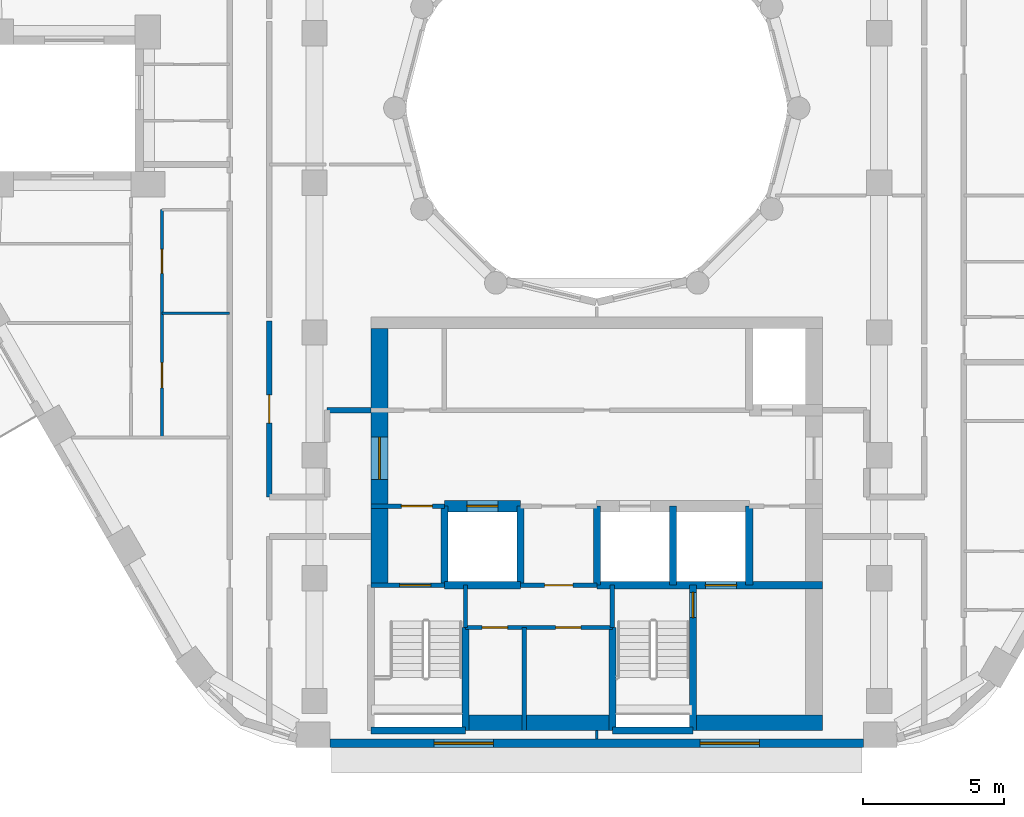
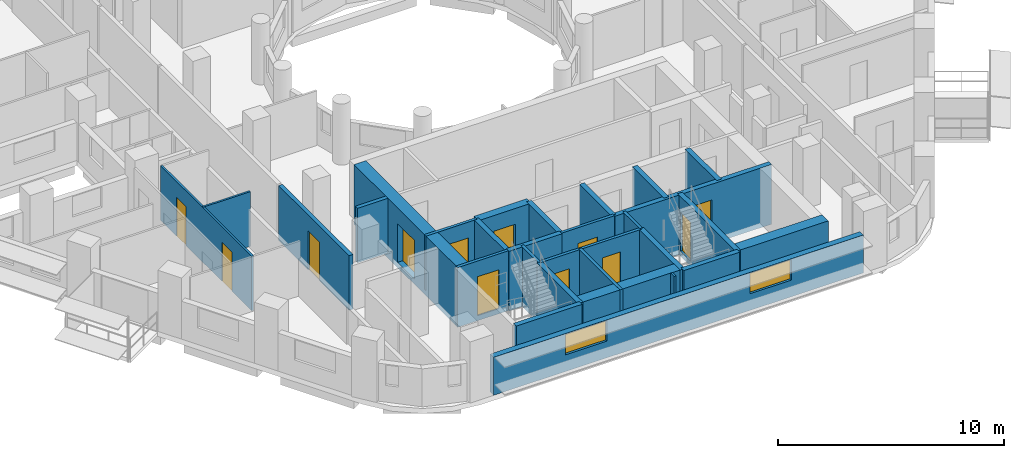
# One storey, part 3 of 15: 29 walls, 12 doors, 2 windows, 14 openings.
"""IFC4 building model written with IfcOpenShell, lengths in metres."""

from ifc_helpers import new_model, si_unit, direction, frame, frame_2d, origin, place, context, subcontext, project, spatial, rectangle, extrude, material, layer, layer_set, type_object, element, fill, save


model = new_model("IFC4")

# Units and contexts
model_context = context("Model", 3, precision=1e-05, world=origin(), true_north=direction((0.0, 1.0)))
body_context = subcontext(model_context, "Body", "Model", "MODEL_VIEW")
ifc_project = project(units=[si_unit("LENGTHUNIT", "METRE"), si_unit("AREAUNIT", "SQUARE_METRE"), si_unit("VOLUMEUNIT", "CUBIC_METRE"), si_unit("PLANEANGLEUNIT", "RADIAN"), si_unit("MASSUNIT", "GRAM", prefix="KILO")], contexts=[model_context])

# Site, building, storey
site_placement = place(None, origin())
site = spatial("IfcSite", under=ifc_project, at=site_placement, CompositionType="ELEMENT")
building_placement = place(site_placement, origin())
building = spatial("IfcBuilding", under=site, at=building_placement, Name="Nakaniwa Court", CompositionType="ELEMENT")
storey_placement = place(building_placement, frame((0.0, 0.0, 216.300048828125)))
storey = spatial("IfcBuildingStorey", under=building, at=storey_placement, Name="L57", CompositionType="ELEMENT", Elevation=216.300048828125)

# Wall
ifc_material_1 = material(Name="Acoustic double stud partition")
ifc_layer_1 = layer(ifc_material_1, 0.199951171875)
ifc_layer_set_1 = layer_set([ifc_layer_1], Name="Acoustic double stud partition")
wall_type_1 = type_object("IfcWallType", Name="Acoustic double stud partition 200", PredefinedType="PARTITIONING", material=ifc_layer_set_1)
wall_1_placement = place(storey_placement, frame((70.449951171875, 69.300048828125, 0.0), z_axis=(0.0, 0.0, 1.0), x_axis=(1.0, 0.0, 0.0)))
element("IfcWall", 1, at=wall_1_placement, inside=storey, type_object=wall_type_1, Name="Partition PW-076", PredefinedType="PARTITIONING", context=body_context, shape_type="SweptSolid", body=[
    extrude(rectangle(XDim=1.550048828125, YDim=0.199951171875, at=frame_2d((0.77490234375, 0.0))), origin(), (0.0, 0.0, 1.0), 2.949951171875),
])

# Wall, opening, door
wall_2_placement = place(storey_placement, frame((68.39990234375, 72.462890625, 0.0), z_axis=(0.0, 0.0, 1.0), x_axis=(0.0, -1.0, 0.0)))
wall_2 = element("IfcWall", 2, at=wall_2_placement, inside=storey, type_object=wall_type_1, Name="Partition PW-093", PredefinedType="PARTITIONING", context=body_context, shape_type="SweptSolid", body=[
    extrude(rectangle(XDim=6.23779296875, YDim=0.199951171875, at=frame_2d((3.118896484375, 0.0))), origin(), (0.0, 0.0, 1.0), 2.949951171875),
])
opening_1_placement = place(wall_2_placement, frame((2.6201171875, 0.0, 0.0)))
opening_1 = element("IfcOpeningElement", 3, at=opening_1_placement, cuts=wall_2, Name="Opening D-02-03", PredefinedType="OPENING", context=body_context, shape_type="SweptSolid", body=[
    extrude(rectangle(XDim=1.0, YDim=2.10009765625, at=frame_2d((0.5, 1.050048828125))), frame((0.0, 0.10986328125, 0.0), z_axis=(0.0, -1.0, 0.0), x_axis=(1.0, 0.0, 0.0)), (0.0, 0.0, 1.0), 0.219970703125),
])
ifc_material_2 = material(Name="Solid core timber door set, black veneer", Category="wood")
door_type_1 = type_object("IfcDoorType", Name="Internal door 1000", OperationType="NOTDEFINED", PredefinedType="DOOR", material=ifc_material_2)
door_1_placement = place(opening_1_placement, origin())
door_1 = element("IfcDoor", 4, at=door_1_placement, inside=storey, type_object=door_type_1, Name="Door D-02-03 L57-034", OperationType="SINGLE_SWING_LEFT", OverallHeight=2.10009765625, OverallWidth=1.0, PredefinedType="DOOR", context=body_context, shape_type="SweptSolid", body=[
    extrude(rectangle(XDim=1.0, YDim=2.10009765625, at=frame_2d((0.5, 1.050048828125))), frame((0.0, 0.02490234375, 0.0), z_axis=(0.0, -1.0, 0.0), x_axis=(1.0, 0.0, 0.0)), (0.0, 0.0, 1.0), 0.050048828125),
])
fill(opening_1, door_1)

# Wall, openings, windows
ifc_material_3 = material(Name="Charcoal ceramic cladding")
ifc_layer_2 = layer(ifc_material_3, 0.02, Name="Ceramic cladding")
ifc_material_4 = material(Name="Ventilated air cavity")
ifc_layer_3 = layer(ifc_material_4, 0.04, ventilated=True, Name="Ventilated cavity")
ifc_material_5 = material(Name="Mineral wool insulation")
ifc_layer_4 = layer(ifc_material_5, 0.1, Name="Insulation")
ifc_material_6 = material(Name="Cement bonded sheathing board")
ifc_layer_5 = layer(ifc_material_6, 0.012, Name="Sheathing")
ifc_material_7 = material(Name="Cold-formed galvanised stud frame with mineral wool infill")
ifc_layer_6 = layer(ifc_material_7, 0.1, Name="Stud frame")
ifc_material_8 = material(Name="Fire-rated gypsum plasterboard lining")
ifc_layer_7 = layer(ifc_material_8, 0.028, Name="Lining")
ifc_layer_set_2 = layer_set([ifc_layer_2, ifc_layer_3, ifc_layer_4, ifc_layer_5, ifc_layer_6, ifc_layer_7], Name="Charcoal ceramic faced external wall system")
wall_type_2 = type_object("IfcWallType", Name="Black ceramic faced external wall 300", PredefinedType="SOLIDWALL", material=ifc_layer_set_2)
wall_3_placement = place(storey_placement, frame((70.55078125, 57.5, 0.0), z_axis=(0.0, 0.0, 1.0), x_axis=(1.0, 0.0, 0.0)))
wall_3 = element("IfcWall", 5, at=wall_3_placement, inside=storey, type_object=wall_type_2, Name="L57 external wall 26", PredefinedType="SOLIDWALL", context=body_context, shape_type="SweptSolid", body=[
    extrude(rectangle(XDim=18.892822265625, YDim=0.300048828125, at=frame_2d((9.4462890625, 0.0))), origin(), (0.0, 0.0, 1.0), 2.050048828125),
])
opening_2_placement = place(wall_3_placement, frame((3.6865234375, 0.0, 0.89990234375)))
opening_2 = element("IfcOpeningElement", 6, at=opening_2_placement, cuts=wall_3, Name="Opening W7.29", PredefinedType="OPENING", context=body_context, shape_type="SweptSolid", body=[
    extrude(rectangle(XDim=2.10009765625, YDim=1.10009765625, at=frame_2d((1.050048828125, 0.550048828125))), frame((0.0, 0.159912109375, 0.0), z_axis=(0.0, -1.0, 0.0), x_axis=(1.0, 0.0, 0.0)), (0.0, 0.0, 1.0), 0.320068359375),
])
opening_3_placement = place(wall_3_placement, frame((13.10888671875, 0.0, 0.89990234375)))
opening_3 = element("IfcOpeningElement", 7, at=opening_3_placement, cuts=wall_3, Name="Opening W7.30", PredefinedType="OPENING", context=body_context, shape_type="SweptSolid", body=[
    extrude(rectangle(XDim=2.10009765625, YDim=1.10009765625, at=frame_2d((1.050048828125, 0.550048828125))), frame((0.0, 0.159912109375, 0.0), z_axis=(0.0, -1.0, 0.0), x_axis=(1.0, 0.0, 0.0)), (0.0, 0.0, 1.0), 0.320068359375),
])
ifc_material_9 = material(Name="Black anodised aluminium frame with dark low-E laminated double glazing", Category="aluminium")
window_type = type_object("IfcWindowType", Name="Dark glass window 2100x1100 sill 900", PartitioningType="SINGLE_PANEL", PredefinedType="WINDOW", material=ifc_material_9)
window_1_placement = place(opening_2_placement, origin())
window_1 = element("IfcWindow", 8, at=window_1_placement, inside=storey, type_object=window_type, Name="L57 habitable room window 26-0", OverallHeight=1.10009765625, OverallWidth=2.10009765625, PartitioningType="SINGLE_PANEL", PredefinedType="WINDOW", context=body_context, shape_type="SweptSolid", body=[
    extrude(rectangle(XDim=2.10009765625, YDim=1.10009765625, at=frame_2d((1.050048828125, 0.550048828125))), frame((0.0, 0.030029296875, 0.0), z_axis=(0.0, -1.0, 0.0), x_axis=(1.0, 0.0, 0.0)), (0.0, 0.0, 1.0), 0.06005859375),
])
fill(opening_2, window_1)
window_2_placement = place(opening_3_placement, origin())
window_2 = element("IfcWindow", 9, at=window_2_placement, inside=storey, type_object=window_type, Name="L57 habitable room window 26-1", OverallHeight=1.10009765625, OverallWidth=2.10009765625, PartitioningType="SINGLE_PANEL", PredefinedType="WINDOW", context=body_context, shape_type="SweptSolid", body=[
    extrude(rectangle(XDim=2.10009765625, YDim=1.10009765625, at=frame_2d((1.050048828125, 0.550048828125))), frame((0.0, 0.030029296875, 0.0), z_axis=(0.0, -1.0, 0.0), x_axis=(1.0, 0.0, 0.0)), (0.0, 0.0, 1.0), 0.06005859375),
])
fill(opening_3, window_2)

# Wall, opening, door
ifc_material_10 = material(Name="Blockwork partition", Category="masonry")
ifc_layer_8 = layer(ifc_material_10, 0.14990234375)
ifc_layer_set_3 = layer_set([ifc_layer_8], Name="Blockwork partition")
wall_type_3 = type_object("IfcWallType", Name="Blockwork partition 150", PredefinedType="PARTITIONING", material=ifc_layer_set_3)
wall_4_placement = place(storey_placement, frame((74.60302734375, 65.89990234375, 0.0), z_axis=(0.0, 0.0, 1.0), x_axis=(-1.0, 0.0, 0.0)))
wall_4 = element("IfcWall", 10, at=wall_4_placement, inside=storey, type_object=wall_type_3, Name="Partition PW-040", PredefinedType="PARTITIONING", context=body_context, shape_type="SweptSolid", body=[
    extrude(rectangle(XDim=2.60302734375, YDim=0.14990234375, at=frame_2d((1.301513671875, 0.0))), origin(), (0.0, 0.0, 1.0), 2.949951171875),
])
opening_4_placement = place(wall_4_placement, frame((0.427978515625, 0.0, 0.0)))
opening_4 = element("IfcOpeningElement", 11, at=opening_4_placement, cuts=wall_4, Name="Opening D-08-02", PredefinedType="OPENING", context=body_context, shape_type="SweptSolid", body=[
    extrude(rectangle(XDim=1.10009765625, YDim=2.10009765625, at=frame_2d((0.550048828125, 1.050048828125))), frame((0.0, 0.0849609375, 0.0), z_axis=(0.0, -1.0, 0.0), x_axis=(1.0, 0.0, 0.0)), (0.0, 0.0, 1.0), 0.169921875),
])
ifc_material_11 = material(Name="Fire rated steel door set", Category="steel")
door_type_2 = type_object("IfcDoorType", Name="Stair lobby door 1100", OperationType="NOTDEFINED", PredefinedType="DOOR", material=ifc_material_11)
door_2_placement = place(opening_4_placement, origin())
door_2 = element("IfcDoor", 12, at=door_2_placement, inside=storey, type_object=door_type_2, Name="Door D-08-02 L57-013", OperationType="SINGLE_SWING_RIGHT", OverallHeight=2.10009765625, OverallWidth=1.10009765625, PredefinedType="DOOR", context=body_context, shape_type="SweptSolid", body=[
    extrude(rectangle(XDim=1.10009765625, YDim=2.10009765625, at=frame_2d((0.550048828125, 1.050048828125))), frame((0.0, 0.02490234375, 0.0), z_axis=(0.0, -1.0, 0.0), x_axis=(1.0, 0.0, 0.0)), (0.0, 0.0, 1.0), 0.050048828125),
])
fill(opening_4, door_2)

wall_5_placement = place(storey_placement, frame((80.0, 63.10009765625, 0.0), z_axis=(0.0, 0.0, 1.0), x_axis=(-1.0, 0.0, 0.0)))
wall_5 = element("IfcWall", 13, at=wall_5_placement, inside=storey, type_object=wall_type_3, Name="Partition PW-051", PredefinedType="PARTITIONING", context=body_context, shape_type="SweptSolid", body=[
    extrude(rectangle(XDim=2.699951171875, YDim=0.14990234375, at=frame_2d((1.35009765625, 0.0))), origin(), (0.0, 0.0, 1.0), 2.949951171875),
])
opening_5_placement = place(wall_5_placement, frame((0.85009765625, 0.0, 0.0)))
opening_5 = element("IfcOpeningElement", 14, at=opening_5_placement, cuts=wall_5, Name="Opening D-23-02", PredefinedType="OPENING", context=body_context, shape_type="SweptSolid", body=[
    extrude(rectangle(XDim=1.0, YDim=2.10009765625, at=frame_2d((0.5, 1.050048828125))), frame((0.0, 0.0849609375, 0.0), z_axis=(0.0, -1.0, 0.0), x_axis=(1.0, 0.0, 0.0)), (0.0, 0.0, 1.0), 0.169921875),
])
door_type_3 = type_object("IfcDoorType", Name="Service room door 1000", OperationType="NOTDEFINED", PredefinedType="DOOR", material=ifc_material_11)
door_3_placement = place(opening_5_placement, origin())
door_3 = element("IfcDoor", 15, at=door_3_placement, inside=storey, type_object=door_type_3, Name="Door D-23-02 L57-016", OperationType="SINGLE_SWING_LEFT", OverallHeight=2.10009765625, OverallWidth=1.0, PredefinedType="DOOR", context=body_context, shape_type="SweptSolid", body=[
    extrude(rectangle(XDim=1.0, YDim=2.10009765625, at=frame_2d((0.5, 1.050048828125))), frame((0.0, 0.02490234375, 0.0), z_axis=(0.0, -1.0, 0.0), x_axis=(1.0, 0.0, 0.0)), (0.0, 0.0, 1.0), 0.050048828125),
])
fill(opening_5, door_3)

# Wall, openings, doors
wall_6_placement = place(storey_placement, frame((80.550048828125, 61.60009765625, 0.0), z_axis=(0.0, 0.0, 1.0), x_axis=(-1.0, 0.0, 0.0)))
wall_6 = element("IfcWall", 16, at=wall_6_placement, inside=storey, type_object=wall_type_3, Name="Partition PW-063", PredefinedType="PARTITIONING", context=body_context, shape_type="SweptSolid", body=[
    extrude(rectangle(XDim=5.199951171875, YDim=0.14990234375, at=frame_2d((2.60009765625, 0.0))), origin(), (0.0, 0.0, 1.0), 2.949951171875),
])
opening_6_placement = place(wall_6_placement, frame((3.7099609375, 0.0, 0.0)))
opening_6 = element("IfcOpeningElement", 17, at=opening_6_placement, cuts=wall_6, Name="Opening D-05-09", PredefinedType="OPENING", context=body_context, shape_type="SweptSolid", body=[
    extrude(rectangle(XDim=0.89990234375, YDim=2.10009765625, at=frame_2d((0.449951171875, 1.050048828125))), frame((0.0, 0.0849609375, 0.0), z_axis=(0.0, -1.0, 0.0), x_axis=(1.0, 0.0, 0.0)), (0.0, 0.0, 1.0), 0.169921875),
])
opening_7_placement = place(wall_6_placement, frame((1.110107421875, 0.0, 0.0)))
opening_7 = element("IfcOpeningElement", 18, at=opening_7_placement, cuts=wall_6, Name="Opening D-05-10", PredefinedType="OPENING", context=body_context, shape_type="SweptSolid", body=[
    extrude(rectangle(XDim=0.89990234375, YDim=2.10009765625, at=frame_2d((0.449951171875, 1.050048828125))), frame((0.0, 0.0849609375, 0.0), z_axis=(0.0, -1.0, 0.0), x_axis=(1.0, 0.0, 0.0)), (0.0, 0.0, 1.0), 0.169921875),
])
door_type_4 = type_object("IfcDoorType", Name="Service room door 900", OperationType="NOTDEFINED", PredefinedType="DOOR", material=ifc_material_11)
door_4_placement = place(opening_6_placement, origin())
door_4 = element("IfcDoor", 19, at=door_4_placement, inside=storey, type_object=door_type_4, Name="Door D-05-09 L57-017", OperationType="SINGLE_SWING_RIGHT", OverallHeight=2.10009765625, OverallWidth=0.89990234375, PredefinedType="DOOR", context=body_context, shape_type="SweptSolid", body=[
    extrude(rectangle(XDim=0.89990234375, YDim=2.10009765625, at=frame_2d((0.449951171875, 1.050048828125))), frame((0.0, 0.02490234375, 0.0), z_axis=(0.0, -1.0, 0.0), x_axis=(1.0, 0.0, 0.0)), (0.0, 0.0, 1.0), 0.050048828125),
])
fill(opening_6, door_4)
door_5_placement = place(opening_7_placement, origin())
door_5 = element("IfcDoor", 20, at=door_5_placement, inside=storey, type_object=door_type_4, Name="Door D-05-10 L57-018", OperationType="SINGLE_SWING_LEFT", OverallHeight=2.10009765625, OverallWidth=0.89990234375, PredefinedType="DOOR", context=body_context, shape_type="SweptSolid", body=[
    extrude(rectangle(XDim=0.89990234375, YDim=2.10009765625, at=frame_2d((0.449951171875, 1.050048828125))), frame((0.0, 0.02490234375, 0.0), z_axis=(0.0, -1.0, 0.0), x_axis=(1.0, 0.0, 0.0)), (0.0, 0.0, 1.0), 0.050048828125),
])
fill(opening_7, door_5)

# Wall
wall_7_placement = place(storey_placement, frame((77.429931640625, 57.949951171875, 0.0), z_axis=(0.0, 0.0, 1.0), x_axis=(0.0, 1.0, 0.0)))
element("IfcWall", 21, at=wall_7_placement, inside=storey, type_object=wall_type_3, Name="Partition PW-064", PredefinedType="PARTITIONING", context=body_context, shape_type="SweptSolid", body=[
    extrude(rectangle(XDim=3.650146484375, YDim=0.14990234375, at=frame_2d((1.8251953125, 0.0))), origin(), (0.0, 0.0, 1.0), 2.949951171875),
])

# Wall, opening, door
ifc_material_12 = material(Name="Concrete C80/100", Category="concrete")
ifc_layer_9 = layer(ifc_material_12, 0.60009765625)
ifc_layer_set_4 = layer_set([ifc_layer_9], Name="Concrete C80/100")
wall_type_4 = type_object("IfcWallType", Name="Concrete core side wall 600 C80", PredefinedType="SHEAR", material=ifc_layer_set_4)
wall_8_placement = place(storey_placement, frame((72.300048828125, 63.10009765625, -0.275146484375), z_axis=(0.0, 0.0, 1.0), x_axis=(0.0, 1.0, 0.0)))
wall_8 = element("IfcWall", 22, at=wall_8_placement, inside=storey, type_object=wall_type_4, Name="Core wall SW-35", PredefinedType="SHEAR", context=body_context, shape_type="SweptSolid", body=[
    extrude(rectangle(XDim=9.099853515625, YDim=0.60009765625, at=frame_2d((4.5498046875, 0.0))), origin(), (0.0, 0.0, 1.0), 3.22509765625),
])
opening_8_placement = place(wall_8_placement, frame((3.748046875, 0.0, 0.27490234375)))
opening_8 = element("IfcOpeningElement", 23, at=opening_8_placement, cuts=wall_8, Name="Opening D-07-04", PredefinedType="OPENING", context=body_context, shape_type="SweptSolid", body=[
    extrude(rectangle(XDim=1.5, YDim=2.10009765625, at=frame_2d((0.75, 1.050048828125))), frame((0.0, 0.31005859375, 0.0), z_axis=(0.0, -1.0, 0.0), x_axis=(1.0, 0.0, 0.0)), (0.0, 0.0, 1.0), 0.6201171875),
])
ifc_material_13 = material(Name="Glazed fire rated steel double door set", Category="steel")
door_type_5 = type_object("IfcDoorType", Name="Lobby double door 1500", OperationType="NOTDEFINED", PredefinedType="DOOR", material=ifc_material_13)
door_6_placement = place(opening_8_placement, origin())
door_6 = element("IfcDoor", 24, at=door_6_placement, inside=storey, type_object=door_type_5, Name="Door D-07-04 L57-055", OperationType="DOUBLE_DOOR_SINGLE_SWING", OverallHeight=2.10009765625, OverallWidth=1.5, PredefinedType="DOOR", context=body_context, shape_type="SweptSolid", body=[
    extrude(rectangle(XDim=1.5, YDim=2.10009765625, at=frame_2d((0.75, 1.050048828125))), frame((0.0, 0.02490234375, 0.0), z_axis=(0.0, -1.0, 0.0), x_axis=(1.0, 0.0, 0.0)), (0.0, 0.0, 1.0), 0.050048828125),
])
fill(opening_8, door_6)

ifc_layer_10 = layer(ifc_material_12, 0.39990234375)
ifc_layer_set_5 = layer_set([ifc_layer_10], Name="Concrete C80/100")
wall_type_5 = type_object("IfcWallType", Name="Concrete core spine wall 400 C80", PredefinedType="SHEAR", material=ifc_layer_set_5)
wall_9_placement = place(storey_placement, frame((74.596923828125, 65.89990234375, -0.275146484375), z_axis=(0.0, 0.0, 1.0), x_axis=(1.0, 0.0, 0.0)))
wall_9 = element("IfcWall", 25, at=wall_9_placement, inside=storey, type_object=wall_type_5, Name="Core wall SW-43", PredefinedType="SHEAR", context=body_context, shape_type="SweptSolid", body=[
    extrude(rectangle(XDim=2.7060546875, YDim=0.39990234375, at=frame_2d((1.35302734375, 0.0))), origin(), (0.0, 0.0, 1.0), 3.22509765625),
])
opening_9_placement = place(wall_9_placement, frame((0.802978515625, 0.0, 0.27490234375)))
opening_9 = element("IfcOpeningElement", 26, at=opening_9_placement, cuts=wall_9, Name="Opening LD06", PredefinedType="OPENING", context=body_context, shape_type="SweptSolid", body=[
    extrude(rectangle(XDim=1.10009765625, YDim=2.10009765625, at=frame_2d((0.550048828125, 1.050048828125))), frame((0.0, 0.2099609375, 0.0), z_axis=(0.0, -1.0, 0.0), x_axis=(1.0, 0.0, 0.0)), (0.0, 0.0, 1.0), 0.419921875),
])
ifc_material_14 = material(Name="Stainless steel sliding lift landing door", Category="steel")
door_type_6 = type_object("IfcDoorType", Name="Lift landing door 1100", OperationType="NOTDEFINED", PredefinedType="DOOR", material=ifc_material_14)
door_7_placement = place(opening_9_placement, origin())
door_7 = element("IfcDoor", 27, at=door_7_placement, inside=storey, type_object=door_type_6, Name="Lift landing door LD06 L57-006", OperationType="SLIDING_TO_LEFT", OverallHeight=2.10009765625, OverallWidth=1.10009765625, PredefinedType="DOOR", context=body_context, shape_type="SweptSolid", body=[
    extrude(rectangle(XDim=1.10009765625, YDim=2.10009765625, at=frame_2d((0.550048828125, 1.050048828125))), frame((0.0, 0.02490234375, 0.0), z_axis=(0.0, -1.0, 0.0), x_axis=(1.0, 0.0, 0.0)), (0.0, 0.0, 1.0), 0.050048828125),
])
fill(opening_9, door_7)

ifc_layer_11 = layer(ifc_material_12, 0.14990234375)
ifc_layer_set_6 = layer_set([ifc_layer_11], Name="Concrete C80/100")
wall_type_6 = type_object("IfcWallType", Name="Concrete core wall 150 C80", PredefinedType="SHEAR", material=ifc_layer_set_6)
wall_10_placement = place(storey_placement, frame((72.0, 63.10009765625, -0.275146484375), z_axis=(0.0, 0.0, 1.0), x_axis=(1.0, 0.0, 0.0)))
wall_10 = element("IfcWall", 28, at=wall_10_placement, inside=storey, type_object=wall_type_6, Name="Core wall SW-46", PredefinedType="SHEAR", context=body_context, shape_type="SweptSolid", body=[
    extrude(rectangle(XDim=2.60009765625, YDim=0.14990234375, at=frame_2d((1.300048828125, 0.0))), origin(), (0.0, 0.0, 1.0), 3.22509765625),
])
opening_10_placement = place(wall_10_placement, frame((1.02001953125, 0.0, 0.27490234375)))
opening_10 = element("IfcOpeningElement", 29, at=opening_10_placement, cuts=wall_10, Name="Opening D-09-02", PredefinedType="OPENING", context=body_context, shape_type="SweptSolid", body=[
    extrude(rectangle(XDim=1.10009765625, YDim=2.10009765625, at=frame_2d((0.550048828125, 1.050048828125))), frame((0.0, 0.0849609375, 0.0), z_axis=(0.0, -1.0, 0.0), x_axis=(1.0, 0.0, 0.0)), (0.0, 0.0, 1.0), 0.169921875),
])
door_type_7 = type_object("IfcDoorType", Name="Stair door 1100", OperationType="NOTDEFINED", PredefinedType="DOOR", material=ifc_material_11)
door_8_placement = place(opening_10_placement, origin())
door_8 = element("IfcDoor", 30, at=door_8_placement, inside=storey, type_object=door_type_7, Name="Door D-09-02 L57-019", OperationType="SINGLE_SWING_LEFT", OverallHeight=2.10009765625, OverallWidth=1.10009765625, PredefinedType="DOOR", context=body_context, shape_type="SweptSolid", body=[
    extrude(rectangle(XDim=1.10009765625, YDim=2.10009765625, at=frame_2d((0.550048828125, 1.050048828125))), frame((0.0, 0.02490234375, 0.0), z_axis=(0.0, -1.0, 0.0), x_axis=(1.0, 0.0, 0.0)), (0.0, 0.0, 1.0), 0.050048828125),
])
fill(opening_10, door_8)

# Walls
for number, where, z_axis, x_axis, name in (
    (31, (75.35009765625, 61.596923828125, -0.275146484375), (0.0, 0.0, 1.0), (0.0, 1.0, 0.0), "Core wall SW-53"),
    (32, (80.550048828125, 61.596923828125, -0.275146484375), (0.0, 0.0, 1.0), (0.0, 1.0, 0.0), "Core wall SW-59"),
):
    element("IfcWall", number, at=place(storey_placement, frame(where, z_axis=z_axis, x_axis=x_axis)), inside=storey, type_object=wall_type_6, Name=name, PredefinedType="SHEAR", context=body_context, shape_type="SweptSolid", body=[
        extrude(rectangle(XDim=1.503173828125, YDim=0.14990234375, at=frame_2d((0.75146484375, 0.0))), origin(), (0.0, 0.0, 1.0), 3.22509765625),
    ])
ifc_layer_12 = layer(ifc_material_12, 0.25)
ifc_layer_set_7 = layer_set([ifc_layer_12], Name="Concrete C80/100")
wall_type_7 = type_object("IfcWallType", Name="Concrete core wall 250 C80", PredefinedType="SHEAR", material=ifc_layer_set_7)
wall_11_placement = place(storey_placement, frame((72.0, 57.949951171875, -0.275146484375), z_axis=(0.0, 0.0, 1.0), x_axis=(1.0, 0.0, 0.0)))
element("IfcWall", 33, at=wall_11_placement, inside=storey, type_object=wall_type_7, Name="Core wall SW-56", PredefinedType="SHEAR", context=body_context, shape_type="SweptSolid", body=[
    extrude(rectangle(XDim=3.35009765625, YDim=0.25, at=frame_2d((1.675048828125, 0.0))), origin(), (0.0, 0.0, 1.0), 3.22509765625),
])
wall_12_placement = place(storey_placement, frame((80.550048828125, 57.949951171875, -0.275146484375), z_axis=(0.0, 0.0, 1.0), x_axis=(1.0, 0.0, 0.0)))
element("IfcWall", 34, at=wall_12_placement, inside=storey, type_object=wall_type_7, Name="Core wall SW-57", PredefinedType="SHEAR", context=body_context, shape_type="SweptSolid", body=[
    extrude(rectangle(XDim=2.849853515625, YDim=0.25, at=frame_2d((1.4248046875, 0.0))), origin(), (0.0, 0.0, 1.0), 3.22509765625),
])
ifc_layer_13 = layer(ifc_material_12, 0.550048828125)
ifc_layer_set_8 = layer_set([ifc_layer_13], Name="Concrete C80/100")
wall_type_8 = type_object("IfcWallType", Name="Concrete core wall 550 C80", PredefinedType="SHEAR", material=ifc_layer_set_8)
wall_13_placement = place(storey_placement, frame((75.35009765625, 58.22509765625, -0.275146484375), z_axis=(0.0, 0.0, 1.0), x_axis=(1.0, 0.0, 0.0)))
element("IfcWall", 35, at=wall_13_placement, inside=storey, type_object=wall_type_8, Name="Core wall SW-61", PredefinedType="SHEAR", context=body_context, shape_type="SweptSolid", body=[
    extrude(rectangle(XDim=5.199951171875, YDim=0.550048828125, at=frame_2d((2.60009765625, 0.0))), origin(), (0.0, 0.0, 1.0), 3.22509765625),
])
wall_14_placement = place(storey_placement, frame((83.39990234375, 58.22509765625, -0.275146484375), z_axis=(0.0, 0.0, 1.0), x_axis=(1.0, 0.0, 0.0)))
element("IfcWall", 36, at=wall_14_placement, inside=storey, type_object=wall_type_8, Name="Core wall SW-62", PredefinedType="SHEAR", context=body_context, shape_type="SweptSolid", body=[
    extrude(rectangle(XDim=4.60009765625, YDim=0.550048828125, at=frame_2d((2.300048828125, 0.0))), origin(), (0.0, 0.0, 1.0), 3.22509765625),
])
ifc_layer_14 = layer(ifc_material_12, 0.25)
ifc_layer_set_9 = layer_set([ifc_layer_14], Name="Concrete C80/100")
wall_type_9 = type_object("IfcWallType", Name="Concrete shaft wall 250 C80", PredefinedType="SHEAR", material=ifc_layer_set_9)
for number, where, z_axis, x_axis, name in (
    (37, (85.39990234375, 63.10009765625, -0.275146484375), (0.0, 0.0, 1.0), (0.0, 1.0, 0.0), "Core wall SW-36"),
    (38, (74.60009765625, 63.10009765625, -0.275146484375), (0.0, 0.0, 1.0), (0.0, 1.0, 0.0), "Core wall SW-45"),
    (39, (77.300048828125, 63.10009765625, -0.275146484375), (0.0, 0.0, 1.0), (0.0, 1.0, 0.0), "Core wall SW-47"),
):
    element("IfcWall", number, at=place(storey_placement, frame(where, z_axis=z_axis, x_axis=x_axis)), inside=storey, type_object=wall_type_9, Name=name, PredefinedType="SHEAR", context=body_context, shape_type="SweptSolid", body=[
        extrude(rectangle(XDim=2.7998046875, YDim=0.25, at=frame_2d((1.39990234375, 0.0))), origin(), (0.0, 0.0, 1.0), 3.22509765625),
    ])
wall_15_placement = place(storey_placement, frame((74.60009765625, 63.10009765625, -0.275146484375), z_axis=(0.0, 0.0, 1.0), x_axis=(1.0, 0.0, 0.0)))
element("IfcWall", 40, at=wall_15_placement, inside=storey, type_object=wall_type_9, Name="Core wall SW-48", PredefinedType="SHEAR", context=body_context, shape_type="SweptSolid", body=[
    extrude(rectangle(XDim=2.699951171875, YDim=0.25, at=frame_2d((1.35009765625, 0.0))), origin(), (0.0, 0.0, 1.0), 3.22509765625),
])

# Wall, opening, door
wall_16_placement = place(storey_placement, frame((80.0, 63.10009765625, -0.275146484375), z_axis=(0.0, 0.0, 1.0), x_axis=(1.0, 0.0, 0.0)))
wall_16 = element("IfcWall", 41, at=wall_16_placement, inside=storey, type_object=wall_type_9, Name="Core wall SW-49", PredefinedType="SHEAR", context=body_context, shape_type="SweptSolid", body=[
    extrude(rectangle(XDim=8.0, YDim=0.25, at=frame_2d((4.0, 0.0))), origin(), (0.0, 0.0, 1.0), 3.22509765625),
])
opening_11_placement = place(wall_16_placement, frame((3.84912109375, 0.0, 0.27490234375)))
opening_11 = element("IfcOpeningElement", 42, at=opening_11_placement, cuts=wall_16, Name="Opening LD08", PredefinedType="OPENING", context=body_context, shape_type="SweptSolid", body=[
    extrude(rectangle(XDim=1.10009765625, YDim=2.10009765625, at=frame_2d((0.550048828125, 1.050048828125))), frame((0.0, 0.135009765625, 0.0), z_axis=(0.0, -1.0, 0.0), x_axis=(1.0, 0.0, 0.0)), (0.0, 0.0, 1.0), 0.27001953125),
])
door_9_placement = place(opening_11_placement, origin())
door_9 = element("IfcDoor", 43, at=door_9_placement, inside=storey, type_object=door_type_6, Name="Lift landing door LD08 L57-008", OperationType="SLIDING_TO_LEFT", OverallHeight=2.10009765625, OverallWidth=1.10009765625, PredefinedType="DOOR", context=body_context, shape_type="SweptSolid", body=[
    extrude(rectangle(XDim=1.10009765625, YDim=2.10009765625, at=frame_2d((0.550048828125, 1.050048828125))), frame((0.0, 0.02490234375, 0.0), z_axis=(0.0, -1.0, 0.0), x_axis=(1.0, 0.0, 0.0)), (0.0, 0.0, 1.0), 0.050048828125),
])
fill(opening_11, door_9)

# Walls
for number, where, z_axis, x_axis, name in (
    (44, (80.0, 63.10009765625, -0.275146484375), (0.0, 0.0, 1.0), (0.0, 1.0, 0.0), "Core wall SW-50"),
    (45, (82.699951171875, 63.10009765625, -0.275146484375), (0.0, 0.0, 1.0), (0.0, 1.0, 0.0), "Core wall SW-52"),
):
    element("IfcWall", number, at=place(storey_placement, frame(where, z_axis=z_axis, x_axis=x_axis)), inside=storey, type_object=wall_type_9, Name=name, PredefinedType="SHEAR", context=body_context, shape_type="SweptSolid", body=[
        extrude(rectangle(XDim=2.7998046875, YDim=0.25, at=frame_2d((1.39990234375, 0.0))), origin(), (0.0, 0.0, 1.0), 3.22509765625),
    ])
wall_17_placement = place(storey_placement, frame((75.35009765625, 57.949951171875, -0.275146484375), z_axis=(0.0, 0.0, 1.0), x_axis=(0.0, 1.0, 0.0)))
element("IfcWall", 46, at=wall_17_placement, inside=storey, type_object=wall_type_9, Name="Core wall SW-54", PredefinedType="SHEAR", context=body_context, shape_type="SweptSolid", body=[
    extrude(rectangle(XDim=3.653076171875, YDim=0.25, at=frame_2d((1.82666015625, 0.0))), origin(), (0.0, 0.0, 1.0), 3.22509765625),
])

# Wall, opening, door
wall_18_placement = place(storey_placement, frame((83.39990234375, 63.10009765625, -0.275146484375), z_axis=(0.0, 0.0, 1.0), x_axis=(0.0, -1.0, 0.0)))
wall_18 = element("IfcWall", 47, at=wall_18_placement, inside=storey, type_object=wall_type_9, Name="Core wall SW-58", PredefinedType="SHEAR", context=body_context, shape_type="SweptSolid", body=[
    extrude(rectangle(XDim=5.150146484375, YDim=0.25, at=frame_2d((2.5751953125, 0.0))), origin(), (0.0, 0.0, 1.0), 3.22509765625),
])
opening_12_placement = place(wall_18_placement, frame((0.25, 0.0, 0.27490234375)))
opening_12 = element("IfcOpeningElement", 48, at=opening_12_placement, cuts=wall_18, Name="Opening D-11-02", PredefinedType="OPENING", context=body_context, shape_type="SweptSolid", body=[
    extrude(rectangle(XDim=0.89990234375, YDim=2.10009765625, at=frame_2d((0.449951171875, 1.050048828125))), frame((0.0, 0.135009765625, 0.0), z_axis=(0.0, -1.0, 0.0), x_axis=(1.0, 0.0, 0.0)), (0.0, 0.0, 1.0), 0.27001953125),
])
door_type_8 = type_object("IfcDoorType", Name="Stair door 900", OperationType="NOTDEFINED", PredefinedType="DOOR", material=ifc_material_11)
door_10_placement = place(opening_12_placement, origin())
door_10 = element("IfcDoor", 49, at=door_10_placement, inside=storey, type_object=door_type_8, Name="Door D-11-02 L57-020", OperationType="SINGLE_SWING_RIGHT", OverallHeight=2.10009765625, OverallWidth=0.89990234375, PredefinedType="DOOR", context=body_context, shape_type="SweptSolid", body=[
    extrude(rectangle(XDim=0.89990234375, YDim=2.10009765625, at=frame_2d((0.449951171875, 1.050048828125))), frame((0.0, 0.02490234375, 0.0), z_axis=(0.0, -1.0, 0.0), x_axis=(1.0, 0.0, 0.0)), (0.0, 0.0, 1.0), 0.050048828125),
])
fill(opening_12, door_10)

# Walls
wall_19_placement = place(storey_placement, frame((80.550048828125, 57.949951171875, -0.275146484375), z_axis=(0.0, 0.0, 1.0), x_axis=(0.0, 1.0, 0.0)))
element("IfcWall", 50, at=wall_19_placement, inside=storey, type_object=wall_type_9, Name="Core wall SW-60", PredefinedType="SHEAR", context=body_context, shape_type="SweptSolid", body=[
    extrude(rectangle(XDim=3.653076171875, YDim=0.25, at=frame_2d((1.82666015625, 0.0))), origin(), (0.0, 0.0, 1.0), 3.22509765625),
])
ifc_material_15 = material(Name="Single stud plasterboard partition")
ifc_layer_15 = layer(ifc_material_15, 0.10009765625)
ifc_layer_set_10 = layer_set([ifc_layer_15], Name="Single stud plasterboard partition")
wall_type_10 = type_object("IfcWallType", Name="Single stud plasterboard partition 100", PredefinedType="PARTITIONING", material=ifc_layer_set_10)
wall_20_placement = place(storey_placement, frame((80.0, 57.64990234375, 0.0), z_axis=(0.0, 0.0, 1.0), x_axis=(0.0, 1.0, 0.0)))
element("IfcWall", 51, at=wall_20_placement, inside=storey, type_object=wall_type_10, Name="Partition PW-103", PredefinedType="PARTITIONING", context=body_context, shape_type="SweptSolid", body=[
    extrude(rectangle(XDim=0.300048828125, YDim=0.10009765625, at=frame_2d((0.14990234375, 0.0))), origin(), (0.0, 0.0, 1.0), 2.949951171875),
])
wall_21_placement = place(storey_placement, frame((64.59912109375, 72.735107421875, 0.0), z_axis=(0.0, 0.0, 1.0), x_axis=(1.0, 0.0, 0.0)))
element("IfcWall", 52, at=wall_21_placement, inside=storey, type_object=wall_type_10, Name="Partition PW-121", PredefinedType="PARTITIONING", context=body_context, shape_type="SweptSolid", body=[
    extrude(rectangle(XDim=2.39990234375, YDim=0.10009765625, at=frame_2d((1.199951171875, 0.0))), origin(), (0.0, 0.0, 1.0), 2.949951171875),
])

# Wall, openings, doors
wall_22_placement = place(storey_placement, frame((64.59912109375, 76.39990234375, 0.0), z_axis=(0.0, 0.0, 1.0), x_axis=(0.0, -1.0, 0.0)))
wall_22 = element("IfcWall", 53, at=wall_22_placement, inside=storey, type_object=wall_type_10, Name="Partition PW-122", PredefinedType="PARTITIONING", context=body_context, shape_type="SweptSolid", body=[
    extrude(rectangle(XDim=8.0625, YDim=0.10009765625, at=frame_2d((4.03125, 0.0))), origin(), (0.0, 0.0, 1.0), 2.949951171875),
])
opening_13_placement = place(wall_22_placement, frame((5.4130859375, 0.0, 0.0)))
opening_13 = element("IfcOpeningElement", 54, at=opening_13_placement, cuts=wall_22, Name="Opening D-33-04", PredefinedType="OPENING", context=body_context, shape_type="SweptSolid", body=[
    extrude(rectangle(XDim=0.89990234375, YDim=2.10009765625, at=frame_2d((0.449951171875, 1.050048828125))), frame((0.0, 0.06005859375, 0.0), z_axis=(0.0, -1.0, 0.0), x_axis=(1.0, 0.0, 0.0)), (0.0, 0.0, 1.0), 0.1201171875),
])
opening_14_placement = place(wall_22_placement, frame((1.407958984375, 0.0, 0.0)))
opening_14 = element("IfcOpeningElement", 55, at=opening_14_placement, cuts=wall_22, Name="Opening D-03-02", PredefinedType="OPENING", context=body_context, shape_type="SweptSolid", body=[
    extrude(rectangle(XDim=0.85009765625, YDim=2.10009765625, at=frame_2d((0.425048828125, 1.050048828125))), frame((0.0, 0.06005859375, 0.0), z_axis=(0.0, -1.0, 0.0), x_axis=(1.0, 0.0, 0.0)), (0.0, 0.0, 1.0), 0.1201171875),
])
ifc_material_16 = material(Name="Moisture sealed timber door set", Category="wood")
door_type_9 = type_object("IfcDoorType", Name="Bathroom door 850", OperationType="NOTDEFINED", PredefinedType="DOOR", material=ifc_material_16)
door_11_placement = place(opening_14_placement, origin())
door_11 = element("IfcDoor", 56, at=door_11_placement, inside=storey, type_object=door_type_9, Name="Door D-03-02 L57-037", OperationType="SINGLE_SWING_RIGHT", OverallHeight=2.10009765625, OverallWidth=0.85009765625, PredefinedType="DOOR", context=body_context, shape_type="SweptSolid", body=[
    extrude(rectangle(XDim=0.85009765625, YDim=2.10009765625, at=frame_2d((0.425048828125, 1.050048828125))), frame((0.0, 0.02490234375, 0.0), z_axis=(0.0, -1.0, 0.0), x_axis=(1.0, 0.0, 0.0)), (0.0, 0.0, 1.0), 0.050048828125),
])
fill(opening_14, door_11)
door_type_10 = type_object("IfcDoorType", Name="Internal door 900", OperationType="NOTDEFINED", PredefinedType="DOOR", material=ifc_material_2)
door_12_placement = place(opening_13_placement, origin())
door_12 = element("IfcDoor", 57, at=door_12_placement, inside=storey, type_object=door_type_10, Name="Door D-33-04 L57-036", OperationType="SINGLE_SWING_LEFT", OverallHeight=2.10009765625, OverallWidth=0.89990234375, PredefinedType="DOOR", context=body_context, shape_type="SweptSolid", body=[
    extrude(rectangle(XDim=0.89990234375, YDim=2.10009765625, at=frame_2d((0.449951171875, 1.050048828125))), frame((0.0, 0.02490234375, 0.0), z_axis=(0.0, -1.0, 0.0), x_axis=(1.0, 0.0, 0.0)), (0.0, 0.0, 1.0), 0.050048828125),
])
fill(opening_13, door_12)

save(model, "model.ifc")
